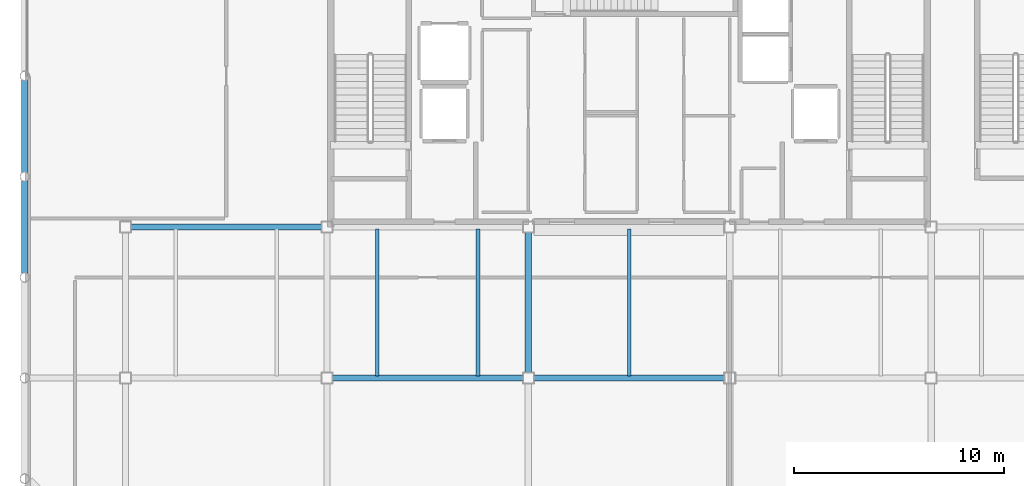
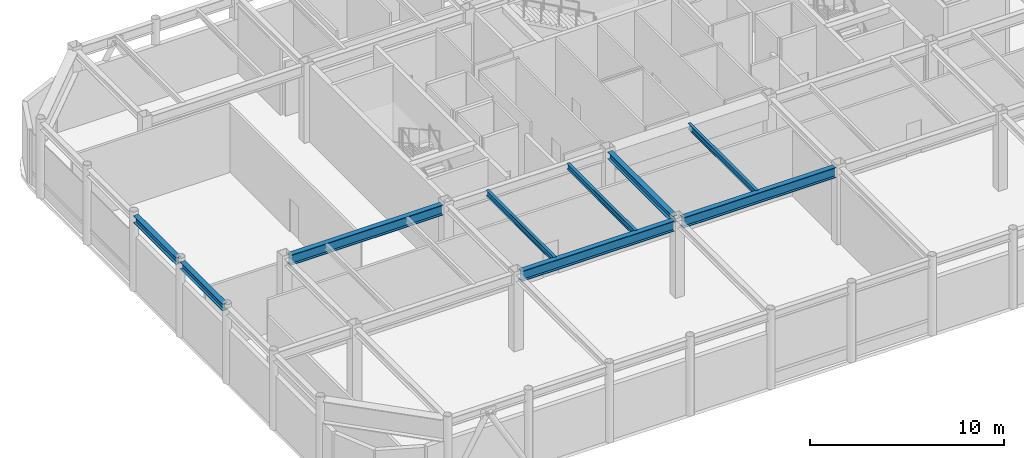
# One storey, part 6 of 21: 9 beams.
"""IFC4 building model written with IfcOpenShell, lengths in metres."""

from ifc_helpers import new_model, si_unit, direction, frame, origin, origin_2d, place, context, subcontext, project, spatial, i_section, extrude, material, material_profile, profile_set, type_object, element, save


model = new_model("IFC4")

# Units and contexts
model_context = context("Model", 3, precision=1e-05, world=origin(), true_north=direction((0.0, 1.0)))
body_context = subcontext(model_context, "Body", "Model", "MODEL_VIEW")
ifc_project = project(units=[si_unit("LENGTHUNIT", "METRE"), si_unit("AREAUNIT", "SQUARE_METRE"), si_unit("VOLUMEUNIT", "CUBIC_METRE"), si_unit("PLANEANGLEUNIT", "RADIAN"), si_unit("MASSUNIT", "GRAM", prefix="KILO")], contexts=[model_context])

# Site, building, storey
site_placement = place(None, origin())
site = spatial("IfcSite", under=ifc_project, at=site_placement, CompositionType="ELEMENT")
building_placement = place(site_placement, origin())
building = spatial("IfcBuilding", under=site, at=building_placement, Name="Kallvorn Hotel Tower", CompositionType="ELEMENT")
storey_placement = place(building_placement, frame((0.0, 0.0, 295.60009765625)))
storey = spatial("IfcBuildingStorey", under=building, at=storey_placement, Name="L73", CompositionType="ELEMENT", Elevation=295.60009765625)

# Beams
ifc_material_1 = material(Name="Structural steel S355JR", Category="steel")
ifc_material_profile_1 = material_profile(ifc_material_1, i_section(OverallWidth=0.300048828125, OverallDepth=0.43994140625, WebThickness=0.011474609375, FlangeThickness=0.02099609375, at=origin_2d()), Name="HE 450 A")
ifc_profile_set_1 = profile_set([ifc_material_profile_1], Name="Structural steel S355JR")
beam_type_1 = type_object("IfcBeamType", Name="BM_HE450A", PredefinedType="BEAM", material=ifc_profile_set_1)
beam_1_placement = place(storey_placement, frame((-28.800048828125, -9.396484375, 4.579833984375), z_axis=(0.0, 1.0, 0.0), x_axis=(-1.0, 0.0, 0.0)))
element("IfcBeam", 1, at=beam_1_placement, inside=storey, type_object=beam_type_1, Name="L74 Primary Y-Girder 27", PredefinedType="BEAM", context=body_context, shape_type="SweptSolid", body=[
    extrude(i_section(OverallWidth=0.300048828125, OverallDepth=0.43994140625, WebThickness=0.011474609375, FlangeThickness=0.02099609375, at=origin_2d()), origin(), (0.0, 0.0, 1.0), 4.39306640625),
])
beam_2_placement = place(storey_placement, frame((-28.800048828125, -4.596435546875, 4.579833984375), z_axis=(0.0, 1.0, 0.0), x_axis=(-1.0, 0.0, 0.0)))
element("IfcBeam", 2, at=beam_2_placement, inside=storey, type_object=beam_type_1, Name="L74 Primary Y-Girder 28", PredefinedType="BEAM", context=body_context, shape_type="SweptSolid", body=[
    extrude(i_section(OverallWidth=0.300048828125, OverallDepth=0.43994140625, WebThickness=0.011474609375, FlangeThickness=0.02099609375, at=origin_2d()), origin(), (0.0, 0.0, 1.0), 4.392822265625),
])
beam_3_placement = place(storey_placement, frame((-4.800048828125, -14.14990234375, 4.579833984375), z_axis=(0.0, 1.0, 0.0), x_axis=(-1.0, 0.0, 0.0)))
element("IfcBeam", 3, at=beam_3_placement, inside=storey, type_object=beam_type_1, Name="L74 Primary Y-Girder 38", PredefinedType="BEAM", context=body_context, shape_type="SweptSolid", body=[
    extrude(i_section(OverallWidth=0.300048828125, OverallDepth=0.43994140625, WebThickness=0.011474609375, FlangeThickness=0.02099609375, at=origin_2d()), origin(), (0.0, 0.0, 1.0), 6.699951171875),
])
ifc_material_2 = material(Name="Structural steel S355JR", Category="steel")
ifc_material_profile_2 = material_profile(ifc_material_2, i_section(OverallWidth=0.300048828125, OverallDepth=0.64990234375, WebThickness=0.01611328125, FlangeThickness=0.031005859375, at=origin_2d()), Name="HE 650 B")
ifc_profile_set_2 = profile_set([ifc_material_profile_2], Name="Structural steel S355JR")
beam_type_2 = type_object("IfcBeamType", Name="BM_HE650B", PredefinedType="BEAM", material=ifc_profile_set_2)
beam_4_placement = place(storey_placement, frame((-14.14990234375, -14.39990234375, 4.474853515625), z_axis=(1.0, 0.0, 0.0), x_axis=(0.0, 1.0, 0.0)))
element("IfcBeam", 4, at=beam_4_placement, inside=storey, type_object=beam_type_2, Name="L74 Primary X-Girder 03", PredefinedType="BEAM", context=body_context, shape_type="SweptSolid", body=[
    extrude(i_section(OverallWidth=0.300048828125, OverallDepth=0.64990234375, WebThickness=0.01611328125, FlangeThickness=0.031005859375, at=origin_2d()), origin(), (0.0, 0.0, 1.0), 9.099853515625),
])
for number, where, z_axis, x_axis, name in (
    (5, (-4.550048828125, -14.39990234375, 4.474853515625), (1.0, 0.0, 0.0), (0.0, 1.0, 0.0), "L74 Primary X-Girder 04"),
    (6, (-23.75, -7.199951171875, 4.474853515625), (1.0, 0.0, 0.0), (0.0, 1.0, 0.0), "L74 Primary X-Girder 07"),
):
    element("IfcBeam", number, at=place(storey_placement, frame(where, z_axis=z_axis, x_axis=x_axis)), inside=storey, type_object=beam_type_2, Name=name, PredefinedType="BEAM", context=body_context, shape_type="SweptSolid", body=[
        extrude(i_section(OverallWidth=0.300048828125, OverallDepth=0.64990234375, WebThickness=0.01611328125, FlangeThickness=0.031005859375, at=origin_2d()), origin(), (0.0, 0.0, 1.0), 9.10009765625),
    ])
ifc_material_3 = material(Name="Structural steel S355JR", Category="steel")
ifc_material_profile_3 = material_profile(ifc_material_3, i_section(OverallWidth=0.169921875, OverallDepth=0.360107421875, WebThickness=0.008056640625, FlangeThickness=0.0126953125, at=origin_2d()), Name="IPE 360")
ifc_profile_set_3 = profile_set([ifc_material_profile_3], Name="Structural steel S355JR")
beam_type_3 = type_object("IfcBeamType", Name="BM_IPE360", PredefinedType="JOIST", material=ifc_profile_set_3)
for number, where, z_axis, x_axis, name in (
    (7, (-12.0, -14.300048828125, 4.619873046875), (0.0, 1.0, 0.0), (-1.0, 0.0, 0.0), "L74 Secondary Composite Joist 94"),
    (8, (-7.199951171875, -14.300048828125, 4.619873046875), (0.0, 1.0, 0.0), (-1.0, 0.0, 0.0), "L74 Secondary Composite Joist 96"),
    (9, (0.0, -14.300048828125, 4.619873046875), (0.0, 1.0, 0.0), (-1.0, 0.0, 0.0), "L74 Secondary Composite Joist 98"),
):
    element("IfcBeam", number, at=place(storey_placement, frame(where, z_axis=z_axis, x_axis=x_axis)), inside=storey, type_object=beam_type_3, Name=name, PredefinedType="JOIST", context=body_context, shape_type="SweptSolid", body=[
        extrude(i_section(OverallWidth=0.169921875, OverallDepth=0.360107421875, WebThickness=0.008056640625, FlangeThickness=0.0126953125, at=origin_2d()), origin(), (0.0, 0.0, 1.0), 7.0),
    ])

save(model, "model.ifc")
